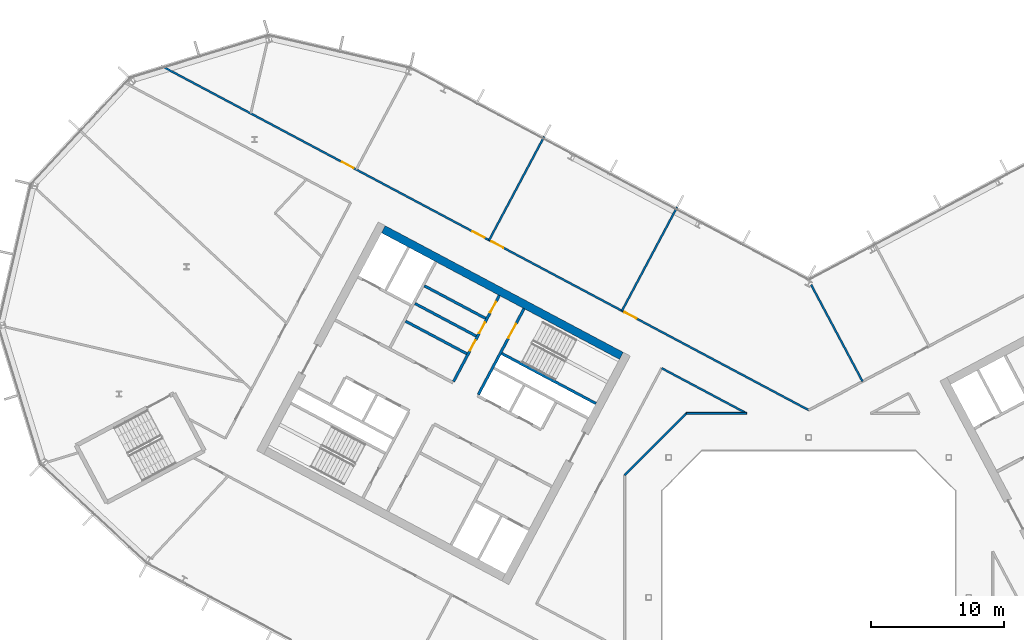
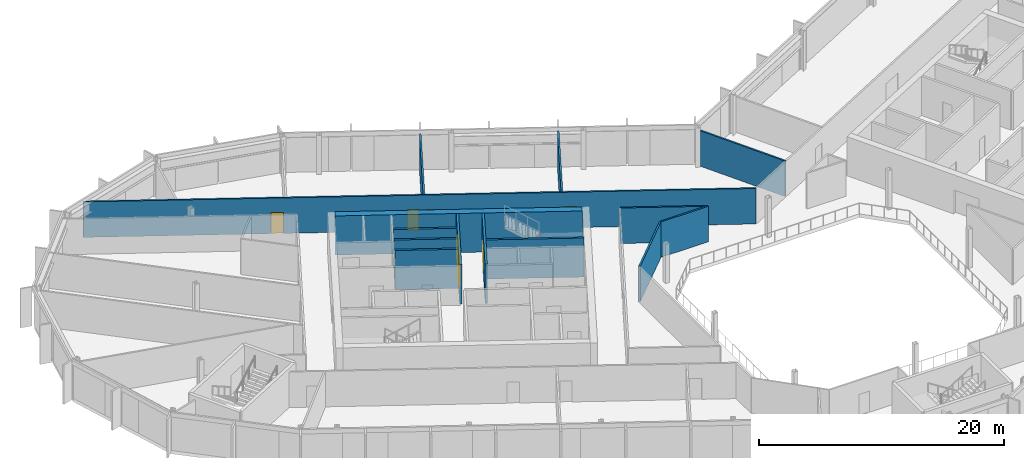
# One storey, part 15 of 27: 14 walls, 8 doors, 8 openings.
"""IFC4 building model written with IfcOpenShell, lengths in metres."""

from ifc_helpers import new_model, si_unit, direction, frame, frame_2d, origin, place, context, subcontext, project, spatial, rectangle, extrude, material, layer, layer_set, type_object, element, fill, save


model = new_model("IFC4")

# Units and contexts
model_context = context("Model", 3, precision=1e-05, world=origin(), true_north=direction((0.0, 1.0)))
body_context = subcontext(model_context, "Body", "Model", "MODEL_VIEW")
ifc_project = project(units=[si_unit("LENGTHUNIT", "METRE"), si_unit("AREAUNIT", "SQUARE_METRE"), si_unit("VOLUMEUNIT", "CUBIC_METRE"), si_unit("PLANEANGLEUNIT", "RADIAN"), si_unit("MASSUNIT", "GRAM", prefix="KILO")], contexts=[model_context])

# Site, building, storey
site_placement = place(None, origin())
site = spatial("IfcSite", under=ifc_project, at=site_placement, CompositionType="ELEMENT")
building_placement = place(site_placement, origin())
building = spatial("IfcBuilding", under=site, at=building_placement, Name="Cormorant Relay Tower", CompositionType="ELEMENT")
storey_placement = place(building_placement, frame((0.0, 0.0, 201.300048828125)))
storey = spatial("IfcBuildingStorey", under=building, at=storey_placement, Name="L43", CompositionType="ELEMENT", Elevation=201.300048828125)

# Walls
ifc_material_1 = material(Name="Concrete 40 MPa", Category="concrete")
ifc_layer_1 = layer(ifc_material_1, 0.199951171875)
ifc_layer_set_1 = layer_set([ifc_layer_1], Name="Core internal wall 200")
wall_type_1 = type_object("IfcWallType", Name="Core internal wall 200", PredefinedType="SOLIDWALL", material=ifc_layer_set_1)
wall_1_placement = place(storey_placement, frame((-24.214599609375, 20.91650390625, 0.0), z_axis=(0.0, 0.0, 1.0), x_axis=(-0.882964314875, 0.469440111896, 0.0)))
element("IfcWall", 1, at=wall_1_placement, inside=storey, type_object=wall_type_1, Name="L43 core A shaft and room wall", PredefinedType="SOLIDWALL", context=body_context, shape_type="SweptSolid", body=[
    extrude(rectangle(XDim=5.2001953125, YDim=0.199951171875, at=frame_2d((2.60009765625, 0.0))), origin(), (0.0, 0.0, 1.0), 3.89990234375),
])
wall_2_placement = place(storey_placement, frame((-24.9189453125, 19.592041015625, 0.0), z_axis=(0.0, 0.0, 1.0), x_axis=(-0.882953967957, 0.469459572775, 0.0)))
element("IfcWall", 2, at=wall_2_placement, inside=storey, type_object=wall_type_1, Name="L43 core A shaft and room wall", PredefinedType="SOLIDWALL", context=body_context, shape_type="SweptSolid", body=[
    extrude(rectangle(XDim=5.199951171875, YDim=0.199951171875, at=frame_2d((2.60009765625, 0.0))), origin(), (0.0, 0.0, 1.0), 3.89990234375),
])

# Wall, opening, door
ifc_material_2 = material(Name="Concrete 50 MPa", Category="concrete")
ifc_layer_2 = layer(ifc_material_2, 0.199951171875)
ifc_layer_set_2 = layer_set([ifc_layer_2], Name="Core shaft wall 200")
wall_type_2 = type_object("IfcWallType", Name="Core shaft wall 200", PredefinedType="SHEAR", material=ifc_layer_set_2)
wall_3_placement = place(storey_placement, frame((-21.333251953125, 21.6494140625, 0.0), z_axis=(0.0, 0.0, 1.0), x_axis=(-0.469494272526, -0.882935517501, 0.0)))
wall_3 = element("IfcWall", 3, at=wall_3_placement, inside=storey, type_object=wall_type_2, Name="L43 core A shaft wall", PredefinedType="SHEAR", context=body_context, shape_type="SweptSolid", body=[
    extrude(rectangle(XDim=7.2998046875, YDim=0.199951171875, at=frame_2d((3.64990234375, 0.0))), origin(), (0.0, 0.0, 1.0), 3.89990234375),
])
opening_1_placement = place(wall_3_placement, frame((1.300048828125, 0.0, 0.0)))
opening_1 = element("IfcOpeningElement", 4, at=opening_1_placement, cuts=wall_3, Name="Opening CDB-038", PredefinedType="OPENING", context=body_context, shape_type="SweptSolid", body=[
    extrude(rectangle(XDim=1.199951171875, YDim=2.10009765625, at=frame_2d((0.60009765625, 1.050048828125))), frame((0.0, 0.10986328125, 0.0), z_axis=(0.0, -1.0, 0.0), x_axis=(1.0, 0.0, 0.0)), (0.0, 0.0, 1.0), 0.219970703125),
])
ifc_material_3 = material(Name="Steel fire door", Category="steel")
door_type_1 = type_object("IfcDoorType", Name="Core stair door 1200x2100", OperationType="SINGLE_SWING_LEFT", PredefinedType="DOOR", material=ifc_material_3)
door_1_placement = place(opening_1_placement, origin())
door_1 = element("IfcDoor", 5, at=door_1_placement, inside=storey, type_object=door_type_1, Name="Core stair door 1200x2100", OperationType="SINGLE_SWING_RIGHT", OverallHeight=2.10009765625, OverallWidth=1.199951171875, PredefinedType="DOOR", context=body_context, shape_type="SweptSolid", body=[
    extrude(rectangle(XDim=1.199951171875, YDim=2.10009765625, at=frame_2d((0.60009765625, 1.050048828125))), frame((0.0, 0.02490234375, 0.0), z_axis=(0.0, -1.0, 0.0), x_axis=(1.0, 0.0, 0.0)), (0.0, 0.0, 1.0), 0.050048828125),
])
fill(opening_1, door_1)

# Wall, openings, doors
wall_4_placement = place(storey_placement, frame((-23.1875, 22.635498046875, 0.0), z_axis=(0.0, 0.0, 1.0), x_axis=(-0.469454336211, -0.882956752176, 0.0)))
wall_4 = element("IfcWall", 6, at=wall_4_placement, inside=storey, type_object=wall_type_2, Name="L43 core A shaft wall", PredefinedType="SHEAR", context=body_context, shape_type="SweptSolid", body=[
    extrude(rectangle(XDim=7.300048828125, YDim=0.199951171875, at=frame_2d((3.64990234375, 0.0))), origin(), (0.0, 0.0, 1.0), 3.89990234375),
])
opening_2_placement = place(wall_4_placement, frame((0.550048828125, 0.0, 0.0)))
opening_2 = element("IfcOpeningElement", 7, at=opening_2_placement, cuts=wall_4, Name="Opening CDD-257", PredefinedType="OPENING", context=body_context, shape_type="SweptSolid", body=[
    extrude(rectangle(XDim=0.89990234375, YDim=2.10009765625, at=frame_2d((0.449951171875, 1.050048828125))), frame((0.0, 0.10986328125, 0.0), z_axis=(0.0, -1.0, 0.0), x_axis=(1.0, 0.0, 0.0)), (0.0, 0.0, 1.0), 0.219970703125),
])
opening_3_placement = place(wall_4_placement, frame((2.300048828125, 0.0, 0.0)))
opening_3 = element("IfcOpeningElement", 8, at=opening_3_placement, cuts=wall_4, Name="Opening CDD-258", PredefinedType="OPENING", context=body_context, shape_type="SweptSolid", body=[
    extrude(rectangle(XDim=0.89990234375, YDim=2.10009765625, at=frame_2d((0.449951171875, 1.050048828125))), frame((0.0, 0.10986328125, 0.0), z_axis=(0.0, -1.0, 0.0), x_axis=(1.0, 0.0, 0.0)), (0.0, 0.0, 1.0), 0.219970703125),
])
opening_4_placement = place(wall_4_placement, frame((3.800048828125, 0.0, 0.0)))
opening_4 = element("IfcOpeningElement", 9, at=opening_4_placement, cuts=wall_4, Name="Opening CDD-259", PredefinedType="OPENING", context=body_context, shape_type="SweptSolid", body=[
    extrude(rectangle(XDim=0.89990234375, YDim=2.10009765625, at=frame_2d((0.449951171875, 1.050048828125))), frame((0.0, 0.10986328125, 0.0), z_axis=(0.0, -1.0, 0.0), x_axis=(1.0, 0.0, 0.0)), (0.0, 0.0, 1.0), 0.219970703125),
])
ifc_material_4 = material(Name="Steel fire door", Category="steel")
door_type_2 = type_object("IfcDoorType", Name="Core room door 900x2100", OperationType="SINGLE_SWING_LEFT", PredefinedType="DOOR", material=ifc_material_4)
door_2_placement = place(opening_2_placement, origin())
door_2 = element("IfcDoor", 10, at=door_2_placement, inside=storey, type_object=door_type_2, Name="Core room door 900x2100", OperationType="SINGLE_SWING_LEFT", OverallHeight=2.10009765625, OverallWidth=0.89990234375, PredefinedType="DOOR", context=body_context, shape_type="SweptSolid", body=[
    extrude(rectangle(XDim=0.89990234375, YDim=2.10009765625, at=frame_2d((0.449951171875, 1.050048828125))), frame((0.0, 0.02490234375, 0.0), z_axis=(0.0, -1.0, 0.0), x_axis=(1.0, 0.0, 0.0)), (0.0, 0.0, 1.0), 0.050048828125),
])
fill(opening_2, door_2)
door_3_placement = place(opening_3_placement, origin())
door_3 = element("IfcDoor", 11, at=door_3_placement, inside=storey, type_object=door_type_2, Name="Core room door 900x2100", OperationType="SINGLE_SWING_LEFT", OverallHeight=2.10009765625, OverallWidth=0.89990234375, PredefinedType="DOOR", context=body_context, shape_type="SweptSolid", body=[
    extrude(rectangle(XDim=0.89990234375, YDim=2.10009765625, at=frame_2d((0.449951171875, 1.050048828125))), frame((0.0, 0.02490234375, 0.0), z_axis=(0.0, -1.0, 0.0), x_axis=(1.0, 0.0, 0.0)), (0.0, 0.0, 1.0), 0.050048828125),
])
fill(opening_3, door_3)
door_4_placement = place(opening_4_placement, origin())
door_4 = element("IfcDoor", 12, at=door_4_placement, inside=storey, type_object=door_type_2, Name="Core room door 900x2100", OperationType="SINGLE_SWING_LEFT", OverallHeight=2.10009765625, OverallWidth=0.89990234375, PredefinedType="DOOR", context=body_context, shape_type="SweptSolid", body=[
    extrude(rectangle(XDim=0.89990234375, YDim=2.10009765625, at=frame_2d((0.449951171875, 1.050048828125))), frame((0.0, 0.02490234375, 0.0), z_axis=(0.0, -1.0, 0.0), x_axis=(1.0, 0.0, 0.0)), (0.0, 0.0, 1.0), 0.050048828125),
])
fill(opening_4, door_4)

# Walls
wall_5_placement = place(storey_placement, frame((-15.94189453125, 14.53564453125, 0.0), z_axis=(0.0, 0.0, 1.0), x_axis=(-0.882946947542, 0.469472776449, 0.0)))
element("IfcWall", 13, at=wall_5_placement, inside=storey, type_object=wall_type_2, Name="L43 core A shaft wall", PredefinedType="SHEAR", context=body_context, shape_type="SweptSolid", body=[
    extrude(rectangle(XDim=8.000244140625, YDim=0.199951171875, at=frame_2d((4.0, 0.0))), origin(), (0.0, 0.0, 1.0), 3.89990234375),
])
wall_6_placement = place(storey_placement, frame((-25.623046875, 18.267578125, 0.0), z_axis=(0.0, 0.0, 1.0), x_axis=(-0.882953967957, 0.469459572775, 0.0)))
element("IfcWall", 14, at=wall_6_placement, inside=storey, type_object=wall_type_2, Name="L43 core A shaft wall", PredefinedType="SHEAR", context=body_context, shape_type="SweptSolid", body=[
    extrude(rectangle(XDim=5.199951171875, YDim=0.199951171875, at=frame_2d((2.60009765625, 0.0))), origin(), (0.0, 0.0, 1.0), 3.89990234375),
])
ifc_material_5 = material(Name="Concrete 50 MPa", Category="concrete")
ifc_layer_3 = layer(ifc_material_5, 0.60009765625)
ifc_layer_set_3 = layer_set([ifc_layer_3], Name="Core wall 600")
wall_type_3 = type_object("IfcWallType", Name="Core wall 600", PredefinedType="SHEAR", material=ifc_layer_set_3)
wall_7_placement = place(storey_placement, frame((-14.04052734375, 18.111572265625, 0.0), z_axis=(0.0, 0.0, 1.0), x_axis=(-0.882947755831, 0.46947125628, 0.0)))
element("IfcWall", 15, at=wall_7_placement, inside=storey, type_object=wall_type_3, Name="L43 core A wall", PredefinedType="SHEAR", context=body_context, shape_type="SweptSolid", body=[
    extrude(rectangle(XDim=20.2001953125, YDim=0.60009765625, at=frame_2d((10.10009765625, 0.0))), origin(), (0.0, 0.0, 1.0), 3.89990234375),
])

# Wall, openings, doors
ifc_material_6 = material(Name="Gypsum board fire partition")
ifc_layer_4 = layer(ifc_material_6, 0.14990234375)
ifc_layer_set_4 = layer_set([ifc_layer_4], Name="Corridor partition 150 EI 60")
wall_type_4 = type_object("IfcWallType", Name="Corridor partition 150 EI 60", PredefinedType="PARTITIONING", material=ifc_layer_set_4)
wall_8_placement = place(storey_placement, frame((-48.541015625, 39.85400390625, 0.0), z_axis=(0.0, 0.0, 1.0), x_axis=(0.882945008423, -0.469476423372, 0.0)))
wall_8 = element("IfcWall", 16, at=wall_8_placement, inside=storey, type_object=wall_type_4, Name="wall/L43/part/011", PredefinedType="PARTITIONING", context=body_context, shape_type="SweptSolid", body=[
    extrude(rectangle(XDim=54.976318359375, YDim=0.14990234375, at=frame_2d((27.48828125, 0.0))), origin(), (0.0, 0.0, 1.0), 3.5400390625),
])
opening_5_placement = place(wall_8_placement, frame((39.35009765625, 0.0, 0.0)))
opening_5 = element("IfcOpeningElement", 17, at=opening_5_placement, cuts=wall_8, Name="Opening DS-134", PredefinedType="OPENING", context=body_context, shape_type="SweptSolid", body=[
    extrude(rectangle(XDim=1.0, YDim=2.10009765625, at=frame_2d((0.5, 1.050048828125))), frame((0.0, 0.0849609375, 0.0), z_axis=(0.0, -1.0, 0.0), x_axis=(1.0, 0.0, 0.0)), (0.0, 0.0, 1.0), 0.169921875),
])
opening_6_placement = place(wall_8_placement, frame((28.050048828125, 0.0, 0.0)))
opening_6 = element("IfcOpeningElement", 18, at=opening_6_placement, cuts=wall_8, Name="Opening DS-135", PredefinedType="OPENING", context=body_context, shape_type="SweptSolid", body=[
    extrude(rectangle(XDim=1.0, YDim=2.10009765625, at=frame_2d((0.5, 1.050048828125))), frame((0.0, 0.0849609375, 0.0), z_axis=(0.0, -1.0, 0.0), x_axis=(1.0, 0.0, 0.0)), (0.0, 0.0, 1.0), 0.169921875),
])
opening_7_placement = place(wall_8_placement, frame((26.448974609375, 0.0, 0.0)))
opening_7 = element("IfcOpeningElement", 19, at=opening_7_placement, cuts=wall_8, Name="Opening DS-136", PredefinedType="OPENING", context=body_context, shape_type="SweptSolid", body=[
    extrude(rectangle(XDim=1.0, YDim=2.10009765625, at=frame_2d((0.5, 1.050048828125))), frame((0.0, 0.0849609375, 0.0), z_axis=(0.0, -1.0, 0.0), x_axis=(1.0, 0.0, 0.0)), (0.0, 0.0, 1.0), 0.169921875),
])
opening_8_placement = place(wall_8_placement, frame((15.35009765625, 0.0, 0.0)))
opening_8 = element("IfcOpeningElement", 20, at=opening_8_placement, cuts=wall_8, Name="Opening DS-120", PredefinedType="OPENING", context=body_context, shape_type="SweptSolid", body=[
    extrude(rectangle(XDim=1.0, YDim=2.10009765625, at=frame_2d((0.5, 1.050048828125))), frame((0.0, 0.0849609375, 0.0), z_axis=(0.0, -1.0, 0.0), x_axis=(1.0, 0.0, 0.0)), (0.0, 0.0, 1.0), 0.169921875),
])
ifc_material_7 = material(Name="Timber door leaf", Category="wood")
door_type_3 = type_object("IfcDoorType", Name="Suite door 1000x2100", OperationType="SINGLE_SWING_LEFT", PredefinedType="DOOR", material=ifc_material_7)
door_5_placement = place(opening_5_placement, origin())
door_5 = element("IfcDoor", 21, at=door_5_placement, inside=storey, type_object=door_type_3, Name="door/L43/017", OperationType="SINGLE_SWING_LEFT", OverallHeight=2.10009765625, OverallWidth=1.0, PredefinedType="DOOR", context=body_context, shape_type="SweptSolid", body=[
    extrude(rectangle(XDim=1.0, YDim=2.10009765625, at=frame_2d((0.5, 1.050048828125))), frame((0.0, 0.02490234375, 0.0), z_axis=(0.0, -1.0, 0.0), x_axis=(1.0, 0.0, 0.0)), (0.0, 0.0, 1.0), 0.050048828125),
])
fill(opening_5, door_5)
door_6_placement = place(opening_6_placement, origin())
door_6 = element("IfcDoor", 22, at=door_6_placement, inside=storey, type_object=door_type_3, Name="door/L43/018", OperationType="SINGLE_SWING_LEFT", OverallHeight=2.10009765625, OverallWidth=1.0, PredefinedType="DOOR", context=body_context, shape_type="SweptSolid", body=[
    extrude(rectangle(XDim=1.0, YDim=2.10009765625, at=frame_2d((0.5, 1.050048828125))), frame((0.0, 0.02490234375, 0.0), z_axis=(0.0, -1.0, 0.0), x_axis=(1.0, 0.0, 0.0)), (0.0, 0.0, 1.0), 0.050048828125),
])
fill(opening_6, door_6)
door_7_placement = place(opening_7_placement, origin())
door_7 = element("IfcDoor", 23, at=door_7_placement, inside=storey, type_object=door_type_3, Name="door/L43/019", OperationType="SINGLE_SWING_RIGHT", OverallHeight=2.10009765625, OverallWidth=1.0, PredefinedType="DOOR", context=body_context, shape_type="SweptSolid", body=[
    extrude(rectangle(XDim=1.0, YDim=2.10009765625, at=frame_2d((0.5, 1.050048828125))), frame((0.0, 0.02490234375, 0.0), z_axis=(0.0, -1.0, 0.0), x_axis=(1.0, 0.0, 0.0)), (0.0, 0.0, 1.0), 0.050048828125),
])
fill(opening_7, door_7)
door_8_placement = place(opening_8_placement, origin())
door_8 = element("IfcDoor", 24, at=door_8_placement, inside=storey, type_object=door_type_3, Name="door/L43/020", OperationType="SINGLE_SWING_RIGHT", OverallHeight=2.10009765625, OverallWidth=1.0, PredefinedType="DOOR", context=body_context, shape_type="SweptSolid", body=[
    extrude(rectangle(XDim=1.0, YDim=2.10009765625, at=frame_2d((0.5, 1.050048828125))), frame((0.0, 0.02490234375, 0.0), z_axis=(0.0, -1.0, 0.0), x_axis=(1.0, 0.0, 0.0)), (0.0, 0.0, 1.0), 0.050048828125),
])
fill(opening_8, door_8)

# Walls
wall_9_placement = place(storey_placement, frame((-11.02197265625, 17.18603515625, 0.0), z_axis=(0.0, 0.0, 1.0), x_axis=(0.882971498546, -0.469426599967, 0.0)))
element("IfcWall", 25, at=wall_9_placement, inside=storey, type_object=wall_type_4, Name="wall/L43/part/045", PredefinedType="PARTITIONING", context=body_context, shape_type="SweptSolid", body=[
    extrude(rectangle(XDim=7.213134765625, YDim=0.14990234375, at=frame_2d((3.6064453125, 0.0))), origin(), (0.0, 0.0, 1.0), 3.5400390625),
])
wall_10_placement = place(storey_placement, frame((-4.653076171875, 13.800048828125, 0.0), z_axis=(0.0, 0.0, 1.0), x_axis=(-1.0, 0.0, 0.0)))
element("IfcWall", 26, at=wall_10_placement, inside=storey, type_object=wall_type_4, Name="wall/L43/part/046", PredefinedType="PARTITIONING", context=body_context, shape_type="SweptSolid", body=[
    extrude(rectangle(XDim=4.5068359375, YDim=0.14990234375, at=frame_2d((2.25341796875, 0.0))), origin(), (0.0, 0.0, 1.0), 3.5400390625),
])
wall_11_placement = place(storey_placement, frame((-9.159912109375, 13.800048828125, 0.0), z_axis=(0.0, 0.0, 1.0), x_axis=(-0.707106781187, -0.707106781187, 0.0)))
element("IfcWall", 27, at=wall_11_placement, inside=storey, type_object=wall_type_4, Name="wall/L43/part/047", PredefinedType="PARTITIONING", context=body_context, shape_type="SweptSolid", body=[
    extrude(rectangle(XDim=6.562255859375, YDim=0.14990234375, at=frame_2d((3.28125, 0.0))), origin(), (0.0, 0.0, 1.0), 3.5400390625),
])
ifc_material_8 = material(Name="Gypsum board partition")
ifc_layer_5 = layer(ifc_material_8, 0.14990234375)
ifc_layer_set_5 = layer_set([ifc_layer_5], Name="Tenant partition 150")
wall_type_5 = type_object("IfcWallType", Name="Tenant partition 150", PredefinedType="PARTITIONING", material=ifc_layer_set_5)
for number, where, z_axis, x_axis, name in (
    (28, (-19.822021484375, 34.550048828125, 0.0), (0.0, 0.0, 1.0), (-0.469424316479, -0.882972712545, 0.0), "wall/L43/part/019"),
    (29, (-9.864013671875, 29.2548828125, 0.0), (0.0, 0.0, 1.0), (-0.469457446168, -0.882955098653, 0.0), "wall/L43/part/020"),
):
    element("IfcWall", number, at=place(storey_placement, frame(where, z_axis=z_axis, x_axis=x_axis)), inside=storey, type_object=wall_type_5, Name=name, PredefinedType="PARTITIONING", context=body_context, shape_type="SweptSolid", body=[
        extrude(rectangle(XDim=8.7998046875, YDim=0.14990234375, at=frame_2d((4.39990234375, 0.0))), origin(), (0.0, 0.0, 1.0), 3.5400390625),
    ])
wall_12_placement = place(storey_placement, frame((0.18310546875, 23.43994140625, 0.0), z_axis=(0.0, 0.0, 1.0), x_axis=(0.469529135479, -0.882916978507, 0.0)))
element("IfcWall", 30, at=wall_12_placement, inside=storey, type_object=wall_type_5, Name="wall/L43/part/024", PredefinedType="PARTITIONING", context=body_context, shape_type="SweptSolid", body=[
    extrude(rectangle(XDim=8.210205078125, YDim=0.14990234375, at=frame_2d((4.10498046875, 0.0))), origin(), (0.0, 0.0, 1.0), 3.5400390625),
])

save(model, "model.ifc")
